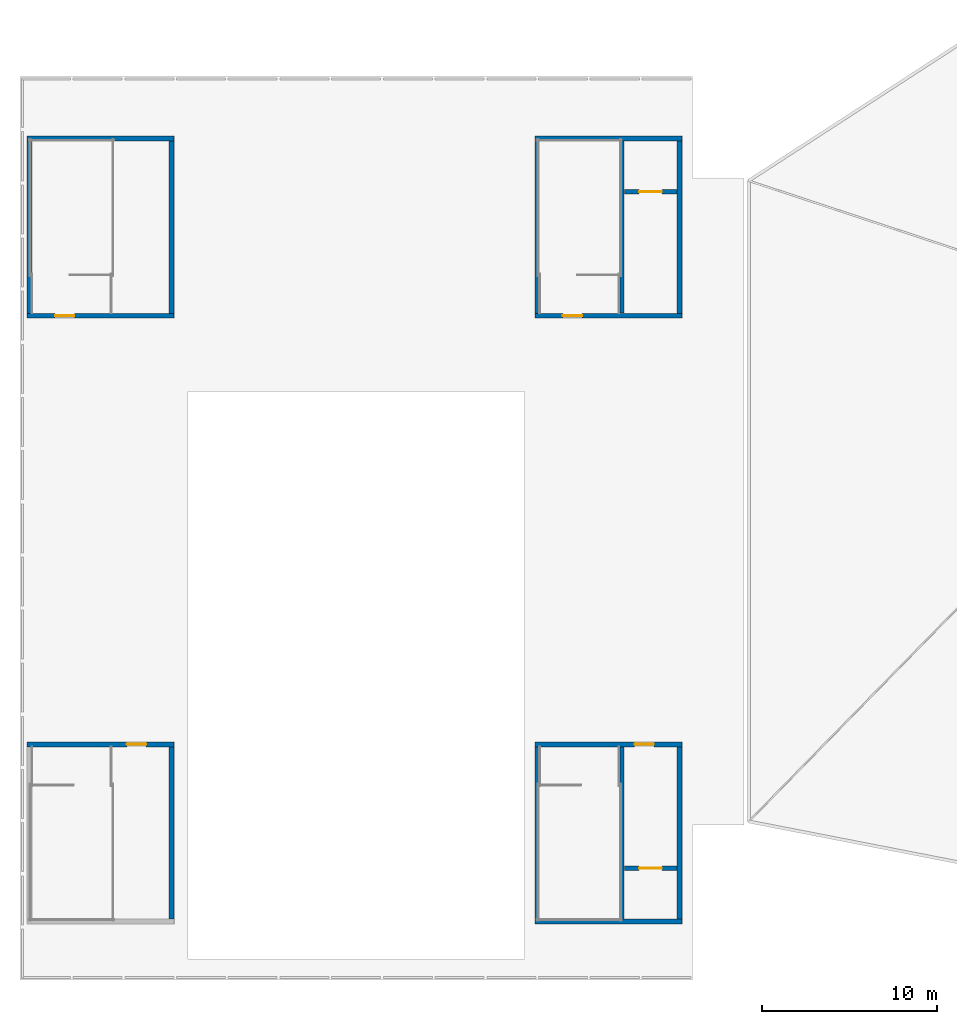
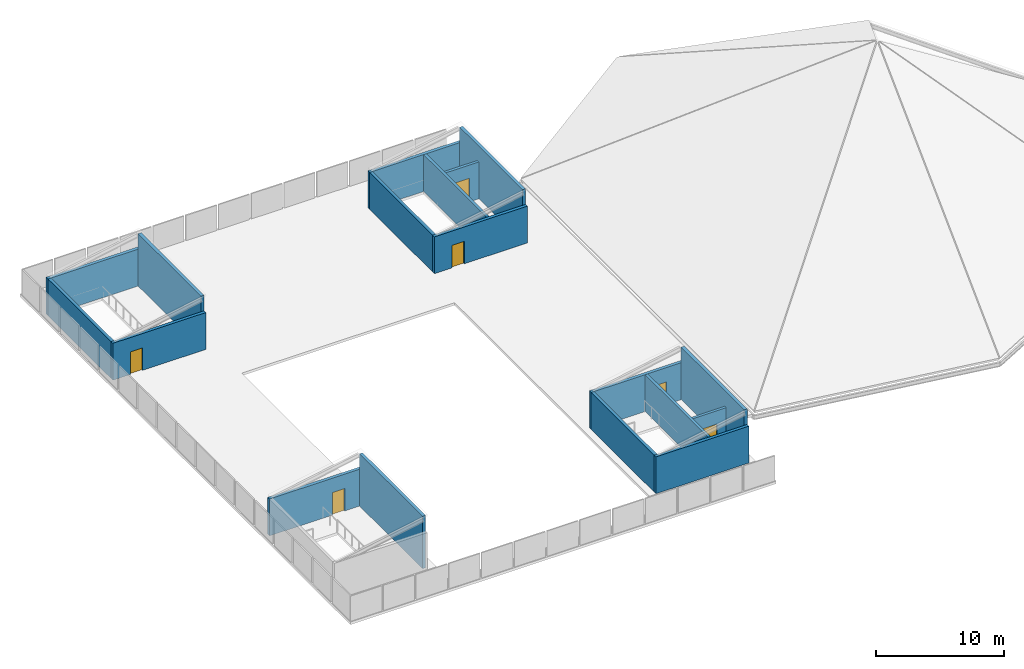
# One storey, part 2 of 3: 18 walls, 6 doors, 6 openings.
"""IFC4 building model written with IfcOpenShell, lengths in metres."""

from ifc_helpers import new_model, si_unit, direction, frame, frame_2d, origin, place, context, subcontext, project, spatial, rectangle, extrude, material, layer, layer_set, type_object, element, fill, save


model = new_model("IFC4")

# Units and contexts
model_context = context("Model", 3, precision=1e-05, world=origin(), true_north=direction((0.0, 1.0)))
body_context = subcontext(model_context, "Body", "Model", "MODEL_VIEW")
ifc_project = project(units=[si_unit("LENGTHUNIT", "METRE"), si_unit("AREAUNIT", "SQUARE_METRE"), si_unit("VOLUMEUNIT", "CUBIC_METRE"), si_unit("PLANEANGLEUNIT", "RADIAN"), si_unit("MASSUNIT", "GRAM", prefix="KILO")], contexts=[model_context])

# Site, building, storey
site_placement = place(None, origin())
site = spatial("IfcSite", under=ifc_project, at=site_placement, CompositionType="ELEMENT")
building_placement = place(site_placement, origin())
building = spatial("IfcBuilding", under=site, at=building_placement, Name="Sarnbrook Museum", CompositionType="ELEMENT")
storey_placement = place(building_placement, frame((0.0, 0.0, 32.60009765625)))
storey = spatial("IfcBuildingStorey", under=building, at=storey_placement, Name="ROOF", CompositionType="ELEMENT", Elevation=32.60009765625)

# Wall
ifc_material_1 = material(Name="Concrete N40 (AS 3600, f'c = 40 MPa)", Category="concrete")
ifc_layer_1 = layer(ifc_material_1, 0.239990234375)
ifc_layer_set_1 = layer_set([ifc_layer_1], Name="Concrete N40 (AS 3600, f'c = 40 MPa)")
wall_type_1 = type_object("IfcWallType", Name="ShaftWall_SWRC", PredefinedType="SOLIDWALL", material=ifc_layer_set_1)
wall_1_placement = place(storey_placement, frame((115.18994140625, 60.2900390625, 0.0), z_axis=(0.0, 0.0, 1.0), x_axis=(0.0, 1.0, 0.0)))
element("IfcWall", 1, at=wall_1_placement, inside=storey, type_object=wall_type_1, Name="Stairwell ST1 Fire Shaft Wall ROOF", PredefinedType="SOLIDWALL", context=body_context, shape_type="SweptSolid", body=[
    extrude(rectangle(XDim=9.820068359375, YDim=0.239990234375, at=frame_2d((4.91015625, 0.0))), origin(), (0.0, 0.0, 1.0), 3.514892578125),
])

# Wall, opening, door
wall_2_placement = place(storey_placement, frame((115.320068359375, 63.179931640625, 0.0), z_axis=(0.0, 0.0, 1.0), x_axis=(1.0, 0.0, 0.0)))
wall_2 = element("IfcWall", 2, at=wall_2_placement, inside=storey, type_object=wall_type_1, Name="Lift EL1 Shaft Front Wall ROOF", PredefinedType="SOLIDWALL", context=body_context, shape_type="SweptSolid", body=[
    extrude(rectangle(XDim=2.989990234375, YDim=0.239990234375, at=frame_2d((1.4951171875, 0.0))), origin(), (0.0, 0.0, 1.0), 3.514892578125),
])
opening_1_placement = place(wall_2_placement, frame((0.844970703125, 0.0, 0.0)))
opening_1 = element("IfcOpeningElement", 3, at=opening_1_placement, cuts=wall_2, Name="Opening LD-EL1-ROOF", PredefinedType="OPENING", context=body_context, shape_type="SweptSolid", body=[
    extrude(rectangle(XDim=1.300048828125, YDim=2.25, at=frame_2d((0.64990234375, 1.125))), frame((0.0, 0.1298828125, 0.0), z_axis=(0.0, -1.0, 0.0), x_axis=(1.0, 0.0, 0.0)), (0.0, 0.0, 1.0), 0.260009765625),
])
ifc_material_2 = material(Name="Brushed Stainless Steel Grade 316", Category="steel")
door_type_1 = type_object("IfcDoorType", Name="LiftDoor_FF130", OperationType="DOUBLE_DOOR_SLIDING", PredefinedType="DOOR", material=ifc_material_2)
door_1_placement = place(opening_1_placement, origin())
door_1 = element("IfcDoor", 4, at=door_1_placement, inside=storey, type_object=door_type_1, Name="Lift Landing Sliding Door LD-EL1-ROOF", OperationType="DOUBLE_DOOR_SLIDING", OverallHeight=2.25, OverallWidth=1.300048828125, PredefinedType="DOOR", context=body_context, shape_type="SweptSolid", body=[
    extrude(rectangle(XDim=1.300048828125, YDim=2.25, at=frame_2d((0.64990234375, 1.125))), frame((0.0, 0.02490234375, 0.0), z_axis=(0.0, -1.0, 0.0), x_axis=(1.0, 0.0, 0.0)), (0.0, 0.0, 1.0), 0.050048828125),
])
fill(opening_1, door_1)

# Wall
wall_3_placement = place(storey_placement, frame((115.18994140625, 94.889892578125, 0.0), z_axis=(0.0, 0.0, 1.0), x_axis=(0.0, 1.0, 0.0)))
element("IfcWall", 5, at=wall_3_placement, inside=storey, type_object=wall_type_1, Name="Stairwell ST2 Fire Shaft Wall ROOF", PredefinedType="SOLIDWALL", context=body_context, shape_type="SweptSolid", body=[
    extrude(rectangle(XDim=9.820068359375, YDim=0.239990234375, at=frame_2d((4.91015625, 0.0))), origin(), (0.0, 0.0, 1.0), 3.514892578125),
])

# Wall, opening, door
wall_4_placement = place(storey_placement, frame((115.320068359375, 101.820068359375, 0.0), z_axis=(0.0, 0.0, 1.0), x_axis=(1.0, 0.0, 0.0)))
wall_4 = element("IfcWall", 6, at=wall_4_placement, inside=storey, type_object=wall_type_1, Name="Lift EL2 Shaft Front Wall ROOF", PredefinedType="SOLIDWALL", context=body_context, shape_type="SweptSolid", body=[
    extrude(rectangle(XDim=2.989990234375, YDim=0.239990234375, at=frame_2d((1.4951171875, 0.0))), origin(), (0.0, 0.0, 1.0), 3.514892578125),
])
opening_2_placement = place(wall_4_placement, frame((0.844970703125, 0.0, 0.0)))
opening_2 = element("IfcOpeningElement", 7, at=opening_2_placement, cuts=wall_4, Name="Opening LD-EL2-ROOF", PredefinedType="OPENING", context=body_context, shape_type="SweptSolid", body=[
    extrude(rectangle(XDim=1.300048828125, YDim=2.25, at=frame_2d((0.64990234375, 1.125))), frame((0.0, 0.1298828125, 0.0), z_axis=(0.0, -1.0, 0.0), x_axis=(1.0, 0.0, 0.0)), (0.0, 0.0, 1.0), 0.260009765625),
])
door_2_placement = place(opening_2_placement, origin())
door_2 = element("IfcDoor", 8, at=door_2_placement, inside=storey, type_object=door_type_1, Name="Lift Landing Sliding Door LD-EL2-ROOF", OperationType="DOUBLE_DOOR_SLIDING", OverallHeight=2.25, OverallWidth=1.300048828125, PredefinedType="DOOR", context=body_context, shape_type="SweptSolid", body=[
    extrude(rectangle(XDim=1.300048828125, YDim=2.25, at=frame_2d((0.64990234375, 1.125))), frame((0.0, 0.02490234375, 0.0), z_axis=(0.0, -1.0, 0.0), x_axis=(1.0, 0.0, 0.0)), (0.0, 0.0, 1.0), 0.050048828125),
])
fill(opening_2, door_2)

# Walls
ifc_material_3 = material(Name="Victorian Bluestone Ashlar Masonry", Category="masonry")
ifc_layer_2 = layer(ifc_material_3, 0.280029296875)
ifc_layer_set_2 = layer_set([ifc_layer_2], Name="Victorian Bluestone Ashlar Masonry")
wall_type_2 = type_object("IfcWallType", Name="Wall_LimestoneClad280", PredefinedType="STANDARD", material=ifc_layer_set_2)
wall_5_placement = place(storey_placement, frame((110.199951171875, 60.139892578125, 0.0), z_axis=(0.0, 0.0, 1.0), x_axis=(1.0, 0.0, 0.0)))
element("IfcWall", 9, at=wall_5_placement, inside=storey, type_object=wall_type_2, Name="Stair ST1 Roof Head-House Wall S", PredefinedType="STANDARD", context=body_context, shape_type="SweptSolid", body=[
    extrude(rectangle(XDim=8.400146484375, YDim=0.280029296875, at=frame_2d((4.2001953125, 0.0))), origin(), (0.0, 0.0, 1.0), 3.514892578125),
])
wall_6_placement = place(storey_placement, frame((118.4599609375, 60.280029296875, 0.0), z_axis=(0.0, 0.0, 1.0), x_axis=(0.0, 1.0, 0.0)))
element("IfcWall", 10, at=wall_6_placement, inside=storey, type_object=wall_type_2, Name="Stair ST1 Roof Head-House Wall E", PredefinedType="STANDARD", context=body_context, shape_type="SweptSolid", body=[
    extrude(rectangle(XDim=9.840087890625, YDim=0.280029296875, at=frame_2d((4.919921875, 0.0))), origin(), (0.0, 0.0, 1.0), 4.994873046875),
])

# Wall, opening, door
wall_7_placement = place(storey_placement, frame((118.60009765625, 70.260009765625, 0.0), z_axis=(0.0, 0.0, 1.0), x_axis=(-1.0, 0.0, 0.0)))
wall_7 = element("IfcWall", 11, at=wall_7_placement, inside=storey, type_object=wall_type_2, Name="Stair ST1 Roof Head-House Wall N", PredefinedType="STANDARD", context=body_context, shape_type="SweptSolid", body=[
    extrude(rectangle(XDim=8.400146484375, YDim=0.280029296875, at=frame_2d((4.2001953125, 0.0))), origin(), (0.0, 0.0, 1.0), 3.514892578125),
])
opening_3_placement = place(wall_7_placement, frame((1.60009765625, 0.0, 0.0)))
opening_3 = element("IfcOpeningElement", 12, at=opening_3_placement, cuts=wall_7, Name="Opening D-ROOF-ST1", PredefinedType="OPENING", context=body_context, shape_type="SweptSolid", body=[
    extrude(rectangle(XDim=1.10009765625, YDim=2.14990234375, at=frame_2d((0.550048828125, 1.074951171875))), frame((0.0, 0.14990234375, 0.0), z_axis=(0.0, -1.0, 0.0), x_axis=(1.0, 0.0, 0.0)), (0.0, 0.0, 1.0), 0.300048828125),
])
door_type_2 = type_object("IfcDoorType", Name="DoorType_HeadHouse", OperationType="SINGLE_SWING_LEFT", PredefinedType="DOOR", material=ifc_material_2)
door_3_placement = place(opening_3_placement, frame((1.10009765625, 0.0, 0.0), z_axis=(0.0, 0.0, 1.0), x_axis=(-1.0, 0.0, 0.0)))
door_3 = element("IfcDoor", 13, at=door_3_placement, inside=storey, type_object=door_type_2, Name="Stair ST1 Roof Head-House Maintenance Door", OperationType="SINGLE_SWING_LEFT", OverallHeight=2.14990234375, OverallWidth=1.10009765625, PredefinedType="DOOR", context=body_context, shape_type="SweptSolid", body=[
    extrude(rectangle(XDim=1.10009765625, YDim=2.14990234375, at=frame_2d((0.550048828125, 1.074951171875))), frame((0.0, 0.02490234375, 0.0), z_axis=(0.0, -1.0, 0.0), x_axis=(1.0, 0.0, 0.0)), (0.0, 0.0, 1.0), 0.050048828125),
])
fill(opening_3, door_3)

# Wall
wall_8_placement = place(storey_placement, frame((110.340087890625, 70.1201171875, 0.0), z_axis=(0.0, 0.0, 1.0), x_axis=(0.0, -1.0, 0.0)))
element("IfcWall", 14, at=wall_8_placement, inside=storey, type_object=wall_type_2, Name="Stair ST1 Roof Head-House Wall W", PredefinedType="STANDARD", context=body_context, shape_type="SweptSolid", body=[
    extrude(rectangle(XDim=9.840087890625, YDim=0.280029296875, at=frame_2d((4.919921875, 0.0))), origin(), (0.0, 0.0, 1.0), 3.514892578125),
])

# Wall, opening, door
wall_9_placement = place(storey_placement, frame((110.199951171875, 94.739990234375, 0.0), z_axis=(0.0, 0.0, 1.0), x_axis=(1.0, 0.0, 0.0)))
wall_9 = element("IfcWall", 15, at=wall_9_placement, inside=storey, type_object=wall_type_2, Name="Stair ST2 Roof Head-House Wall S", PredefinedType="STANDARD", context=body_context, shape_type="SweptSolid", body=[
    extrude(rectangle(XDim=8.400146484375, YDim=0.280029296875, at=frame_2d((4.2001953125, 0.0))), origin(), (0.0, 0.0, 1.0), 3.514892578125),
])
opening_4_placement = place(wall_9_placement, frame((1.60009765625, 0.0, 0.0)))
opening_4 = element("IfcOpeningElement", 16, at=opening_4_placement, cuts=wall_9, Name="Opening D-ROOF-ST2", PredefinedType="OPENING", context=body_context, shape_type="SweptSolid", body=[
    extrude(rectangle(XDim=1.10009765625, YDim=2.14990234375, at=frame_2d((0.550048828125, 1.074951171875))), frame((0.0, 0.14990234375, 0.0), z_axis=(0.0, -1.0, 0.0), x_axis=(1.0, 0.0, 0.0)), (0.0, 0.0, 1.0), 0.300048828125),
])
door_4_placement = place(opening_4_placement, frame((1.10009765625, 0.0, 0.0), z_axis=(0.0, 0.0, 1.0), x_axis=(-1.0, 0.0, 0.0)))
door_4 = element("IfcDoor", 17, at=door_4_placement, inside=storey, type_object=door_type_2, Name="Stair ST2 Roof Head-House Maintenance Door", OperationType="SINGLE_SWING_LEFT", OverallHeight=2.14990234375, OverallWidth=1.10009765625, PredefinedType="DOOR", context=body_context, shape_type="SweptSolid", body=[
    extrude(rectangle(XDim=1.10009765625, YDim=2.14990234375, at=frame_2d((0.550048828125, 1.074951171875))), frame((0.0, 0.02490234375, 0.0), z_axis=(0.0, -1.0, 0.0), x_axis=(1.0, 0.0, 0.0)), (0.0, 0.0, 1.0), 0.050048828125),
])
fill(opening_4, door_4)

# Walls
wall_10_placement = place(storey_placement, frame((118.4599609375, 94.8798828125, 0.0), z_axis=(0.0, 0.0, 1.0), x_axis=(0.0, 1.0, 0.0)))
element("IfcWall", 18, at=wall_10_placement, inside=storey, type_object=wall_type_2, Name="Stair ST2 Roof Head-House Wall E", PredefinedType="STANDARD", context=body_context, shape_type="SweptSolid", body=[
    extrude(rectangle(XDim=9.840087890625, YDim=0.280029296875, at=frame_2d((4.919921875, 0.0))), origin(), (0.0, 0.0, 1.0), 4.994873046875),
])
wall_11_placement = place(storey_placement, frame((118.60009765625, 104.860107421875, 0.0), z_axis=(0.0, 0.0, 1.0), x_axis=(-1.0, 0.0, 0.0)))
element("IfcWall", 19, at=wall_11_placement, inside=storey, type_object=wall_type_2, Name="Stair ST2 Roof Head-House Wall N", PredefinedType="STANDARD", context=body_context, shape_type="SweptSolid", body=[
    extrude(rectangle(XDim=8.400146484375, YDim=0.280029296875, at=frame_2d((4.2001953125, 0.0))), origin(), (0.0, 0.0, 1.0), 3.514892578125),
])
wall_12_placement = place(storey_placement, frame((110.340087890625, 104.719970703125, 0.0), z_axis=(0.0, 0.0, 1.0), x_axis=(0.0, -1.0, 0.0)))
element("IfcWall", 20, at=wall_12_placement, inside=storey, type_object=wall_type_2, Name="Stair ST2 Roof Head-House Wall W", PredefinedType="STANDARD", context=body_context, shape_type="SweptSolid", body=[
    extrude(rectangle(XDim=9.840087890625, YDim=0.280029296875, at=frame_2d((4.919921875, 0.0))), origin(), (0.0, 0.0, 1.0), 3.514892578125),
])
wall_13_placement = place(storey_placement, frame((89.4599609375, 60.280029296875, 0.0), z_axis=(0.0, 0.0, 1.0), x_axis=(0.0, 1.0, 0.0)))
element("IfcWall", 21, at=wall_13_placement, inside=storey, type_object=wall_type_2, Name="Stair ST3 Roof Head-House Wall E", PredefinedType="STANDARD", context=body_context, shape_type="SweptSolid", body=[
    extrude(rectangle(XDim=9.840087890625, YDim=0.280029296875, at=frame_2d((4.919921875, 0.0))), origin(), (0.0, 0.0, 1.0), 4.994873046875),
])

# Wall, opening, door
wall_14_placement = place(storey_placement, frame((89.60009765625, 70.260009765625, 0.0), z_axis=(0.0, 0.0, 1.0), x_axis=(-1.0, 0.0, 0.0)))
wall_14 = element("IfcWall", 22, at=wall_14_placement, inside=storey, type_object=wall_type_2, Name="Stair ST3 Roof Head-House Wall N", PredefinedType="STANDARD", context=body_context, shape_type="SweptSolid", body=[
    extrude(rectangle(XDim=8.400146484375, YDim=0.280029296875, at=frame_2d((4.2001953125, 0.0))), origin(), (0.0, 0.0, 1.0), 3.514892578125),
])
opening_5_placement = place(wall_14_placement, frame((1.60009765625, 0.0, 0.0)))
opening_5 = element("IfcOpeningElement", 23, at=opening_5_placement, cuts=wall_14, Name="Opening D-ROOF-ST3", PredefinedType="OPENING", context=body_context, shape_type="SweptSolid", body=[
    extrude(rectangle(XDim=1.10009765625, YDim=2.14990234375, at=frame_2d((0.550048828125, 1.074951171875))), frame((0.0, 0.14990234375, 0.0), z_axis=(0.0, -1.0, 0.0), x_axis=(1.0, 0.0, 0.0)), (0.0, 0.0, 1.0), 0.300048828125),
])
door_5_placement = place(opening_5_placement, frame((1.10009765625, 0.0, 0.0), z_axis=(0.0, 0.0, 1.0), x_axis=(-1.0, 0.0, 0.0)))
door_5 = element("IfcDoor", 24, at=door_5_placement, inside=storey, type_object=door_type_2, Name="Stair ST3 Roof Head-House Maintenance Door", OperationType="SINGLE_SWING_LEFT", OverallHeight=2.14990234375, OverallWidth=1.10009765625, PredefinedType="DOOR", context=body_context, shape_type="SweptSolid", body=[
    extrude(rectangle(XDim=1.10009765625, YDim=2.14990234375, at=frame_2d((0.550048828125, 1.074951171875))), frame((0.0, 0.02490234375, 0.0), z_axis=(0.0, -1.0, 0.0), x_axis=(1.0, 0.0, 0.0)), (0.0, 0.0, 1.0), 0.050048828125),
])
fill(opening_5, door_5)

wall_15_placement = place(storey_placement, frame((81.199951171875, 94.739990234375, 0.0), z_axis=(0.0, 0.0, 1.0), x_axis=(1.0, 0.0, 0.0)))
wall_15 = element("IfcWall", 25, at=wall_15_placement, inside=storey, type_object=wall_type_2, Name="Stair ST4 Roof Head-House Wall S", PredefinedType="STANDARD", context=body_context, shape_type="SweptSolid", body=[
    extrude(rectangle(XDim=8.400146484375, YDim=0.280029296875, at=frame_2d((4.2001953125, 0.0))), origin(), (0.0, 0.0, 1.0), 3.514892578125),
])
opening_6_placement = place(wall_15_placement, frame((1.60009765625, 0.0, 0.0)))
opening_6 = element("IfcOpeningElement", 26, at=opening_6_placement, cuts=wall_15, Name="Opening D-ROOF-ST4", PredefinedType="OPENING", context=body_context, shape_type="SweptSolid", body=[
    extrude(rectangle(XDim=1.10009765625, YDim=2.14990234375, at=frame_2d((0.550048828125, 1.074951171875))), frame((0.0, 0.14990234375, 0.0), z_axis=(0.0, -1.0, 0.0), x_axis=(1.0, 0.0, 0.0)), (0.0, 0.0, 1.0), 0.300048828125),
])
door_6_placement = place(opening_6_placement, frame((1.10009765625, 0.0, 0.0), z_axis=(0.0, 0.0, 1.0), x_axis=(-1.0, 0.0, 0.0)))
door_6 = element("IfcDoor", 27, at=door_6_placement, inside=storey, type_object=door_type_2, Name="Stair ST4 Roof Head-House Maintenance Door", OperationType="SINGLE_SWING_LEFT", OverallHeight=2.14990234375, OverallWidth=1.10009765625, PredefinedType="DOOR", context=body_context, shape_type="SweptSolid", body=[
    extrude(rectangle(XDim=1.10009765625, YDim=2.14990234375, at=frame_2d((0.550048828125, 1.074951171875))), frame((0.0, 0.02490234375, 0.0), z_axis=(0.0, -1.0, 0.0), x_axis=(1.0, 0.0, 0.0)), (0.0, 0.0, 1.0), 0.050048828125),
])
fill(opening_6, door_6)

# Walls
wall_16_placement = place(storey_placement, frame((89.4599609375, 94.8798828125, 0.0), z_axis=(0.0, 0.0, 1.0), x_axis=(0.0, 1.0, 0.0)))
element("IfcWall", 28, at=wall_16_placement, inside=storey, type_object=wall_type_2, Name="Stair ST4 Roof Head-House Wall E", PredefinedType="STANDARD", context=body_context, shape_type="SweptSolid", body=[
    extrude(rectangle(XDim=9.840087890625, YDim=0.280029296875, at=frame_2d((4.919921875, 0.0))), origin(), (0.0, 0.0, 1.0), 4.994873046875),
])
wall_17_placement = place(storey_placement, frame((89.60009765625, 104.860107421875, 0.0), z_axis=(0.0, 0.0, 1.0), x_axis=(-1.0, 0.0, 0.0)))
element("IfcWall", 29, at=wall_17_placement, inside=storey, type_object=wall_type_2, Name="Stair ST4 Roof Head-House Wall N", PredefinedType="STANDARD", context=body_context, shape_type="SweptSolid", body=[
    extrude(rectangle(XDim=8.400146484375, YDim=0.280029296875, at=frame_2d((4.2001953125, 0.0))), origin(), (0.0, 0.0, 1.0), 3.514892578125),
])
wall_18_placement = place(storey_placement, frame((81.340087890625, 104.719970703125, 0.0), z_axis=(0.0, 0.0, 1.0), x_axis=(0.0, -1.0, 0.0)))
element("IfcWall", 30, at=wall_18_placement, inside=storey, type_object=wall_type_2, Name="Stair ST4 Roof Head-House Wall W", PredefinedType="STANDARD", context=body_context, shape_type="SweptSolid", body=[
    extrude(rectangle(XDim=9.840087890625, YDim=0.280029296875, at=frame_2d((4.919921875, 0.0))), origin(), (0.0, 0.0, 1.0), 3.514892578125),
])

save(model, "model.ifc")
